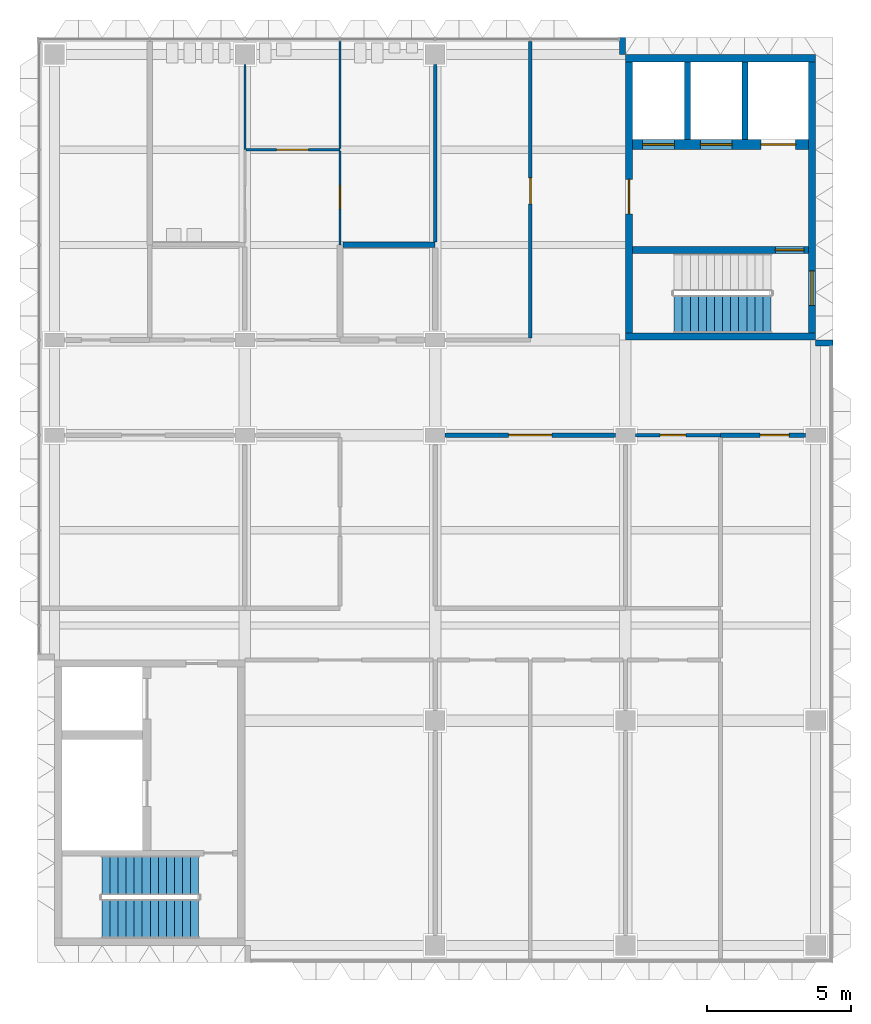
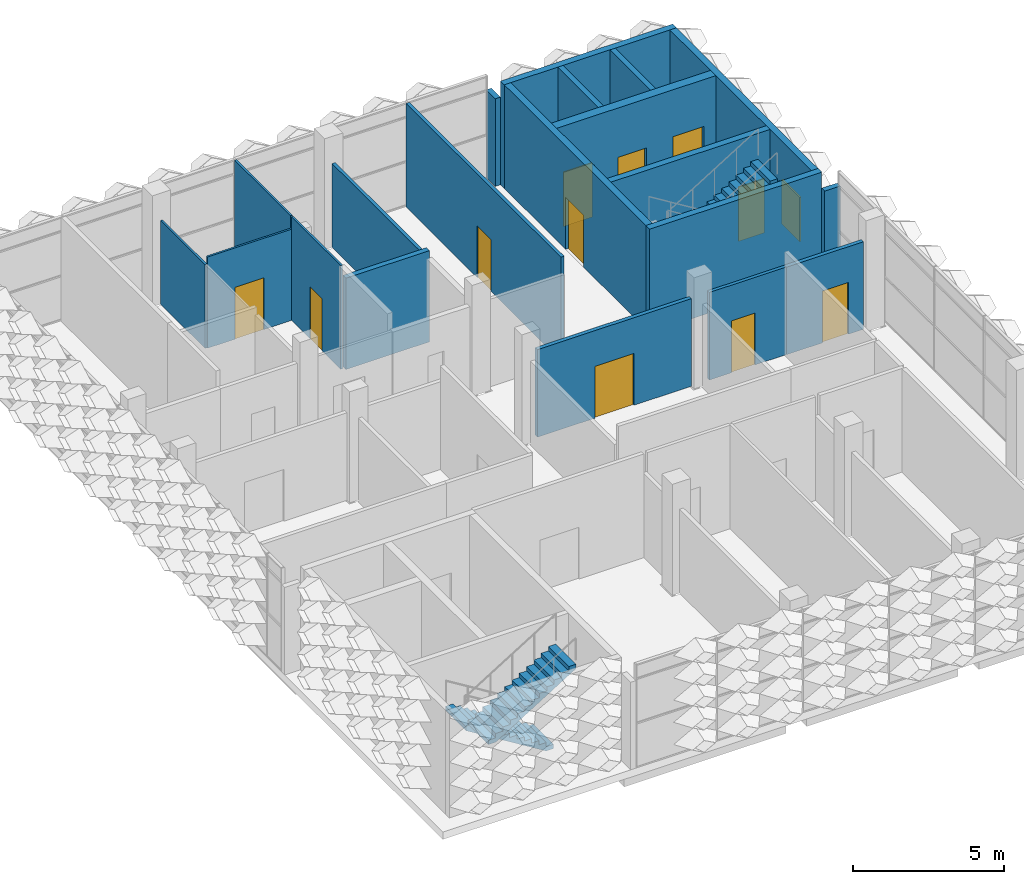
# One storey, part 10 of 29: 20 walls, 11 doors, 3 stair flights, 1 window, 12 openings, 2 elements without a shape of their own.
"""IFC4 building model written with IfcOpenShell, lengths in metres."""

from ifc_helpers import new_model, si_unit, direction, frame, frame_2d, origin, place, context, subcontext, project, spatial, polyline, rectangle, outline, extrude, material, layer, layer_set, type_object, element, fill, aggregate, save


model = new_model("IFC4")

# Units and contexts
model_context = context("Model", 3, precision=1e-05, world=origin(), true_north=direction((0.0, 1.0)))
body_context = subcontext(model_context, "Body", "Model", "MODEL_VIEW")
ifc_project = project(units=[si_unit("LENGTHUNIT", "METRE"), si_unit("AREAUNIT", "SQUARE_METRE"), si_unit("VOLUMEUNIT", "CUBIC_METRE"), si_unit("PLANEANGLEUNIT", "RADIAN"), si_unit("MASSUNIT", "GRAM", prefix="KILO")], contexts=[model_context])

# Site, building, storey
site_placement = place(None, origin())
site = spatial("IfcSite", under=ifc_project, at=site_placement, CompositionType="ELEMENT")
building_placement = place(site_placement, origin())
building = spatial("IfcBuilding", under=site, at=building_placement, Name="Lantern Court Research Institute", CompositionType="ELEMENT")
storey_placement = place(building_placement, frame((0.0, 0.0, 32.39990234375)))
storey = spatial("IfcBuildingStorey", under=building, at=storey_placement, Name="L07", CompositionType="ELEMENT", Elevation=32.39990234375)

# Wall
ifc_material_1 = material(Name="Fire-rated gypsum board partition, mineral wool filled")
ifc_layer_1 = layer(ifc_material_1, 0.199951171875)
ifc_layer_set_1 = layer_set([ifc_layer_1], Name="Fire-rated gypsum board partition, mineral wool filled")
wall_type_1 = type_object("IfcWallType", Name="Compartment wall 200 EI 120", PredefinedType="PARTITIONING", material=ifc_layer_set_1)
wall_1_placement = place(storey_placement, frame((66.0, 16.5, 0.0), z_axis=(0.0, 0.0, 1.0), x_axis=(-1.0, 0.0, 0.0)))
element("IfcWall", 1, at=wall_1_placement, inside=storey, type_object=wall_type_1, Name="Compartment wall 200 EI 120", PredefinedType="PARTITIONING", context=body_context, shape_type="SweptSolid", body=[
    extrude(rectangle(XDim=3.199951171875, YDim=0.199951171875, at=frame_2d((1.60009765625, 0.0))), origin(), (0.0, 0.0, 1.0), 3.7001953125),
])

# Wall, opening, door
ifc_material_2 = material(Name="Fire-rated gypsum board partition, mineral wool filled")
ifc_layer_2 = layer(ifc_material_2, 0.125)
ifc_layer_set_2 = layer_set([ifc_layer_2], Name="Fire-rated gypsum board partition, mineral wool filled")
wall_type_2 = type_object("IfcWallType", Name="Corridor partition 125 EI 60", PredefinedType="PARTITIONING", material=ifc_layer_set_2)
wall_2_placement = place(storey_placement, frame((75.89990234375, 9.89990234375, 0.0), z_axis=(0.0, 0.0, 1.0), x_axis=(-1.0, 0.0, 0.0)))
wall_2 = element("IfcWall", 2, at=wall_2_placement, inside=storey, type_object=wall_type_2, Name="Corridor partition 125 EI 60", PredefinedType="PARTITIONING", context=body_context, shape_type="SweptSolid", body=[
    extrude(rectangle(XDim=2.949951171875, YDim=0.125, at=frame_2d((1.47509765625, 0.0))), origin(), (0.0, 0.0, 1.0), 3.550048828125),
])
opening_1_placement = place(wall_2_placement, frame((1.199951171875, 0.0, 0.0)))
opening_1 = element("IfcOpeningElement", 3, at=opening_1_placement, cuts=wall_2, Name="Opening D5716", PredefinedType="OPENING", context=body_context, shape_type="SweptSolid", body=[
    extrude(rectangle(XDim=0.89990234375, YDim=2.10009765625, at=frame_2d((0.449951171875, 1.050048828125))), frame((0.0, 0.072509765625, 0.0), z_axis=(0.0, -1.0, 0.0), x_axis=(1.0, 0.0, 0.0)), (0.0, 0.0, 1.0), 0.14501953125),
])
ifc_material_3 = material(Name="Solid-core timber door leaf", Category="wood")
ifc_layer_3 = layer(ifc_material_3, 0.053955078125)
ifc_layer_set_3 = layer_set([ifc_layer_3], Name="Solid-core timber door leaf")
door_type_1 = type_object("IfcDoorType", Name="Office door 900 x 2100 single FD30S", OperationType="NOTDEFINED", PredefinedType="DOOR", material=ifc_layer_set_3)
door_1_placement = place(opening_1_placement, origin())
door_1 = element("IfcDoor", 4, at=door_1_placement, inside=storey, type_object=door_type_1, Name="Door D5716", OperationType="SINGLE_SWING_RIGHT", OverallHeight=2.10009765625, OverallWidth=0.89990234375, PredefinedType="DOOR", context=body_context, shape_type="SweptSolid", body=[
    extrude(rectangle(XDim=0.89990234375, YDim=2.10009765625, at=frame_2d((0.449951171875, 1.050048828125))), frame((0.0, 0.02685546875, 0.0), z_axis=(0.0, -1.0, 0.0), x_axis=(1.0, 0.0, 0.0)), (0.0, 0.0, 1.0), 0.053955078125),
])
fill(opening_1, door_1)

# Wall
wall_3_placement = place(storey_placement, frame((66.0, 16.60009765625, 0.0), z_axis=(0.0, 0.0, 1.0), x_axis=(0.0, 1.0, 0.0)))
element("IfcWall", 5, at=wall_3_placement, inside=storey, type_object=wall_type_2, Name="Corridor partition 125 EI 60", PredefinedType="PARTITIONING", context=body_context, shape_type="SweptSolid", body=[
    extrude(rectangle(XDim=6.14990234375, YDim=0.125, at=frame_2d((3.074951171875, 0.0))), origin(), (0.0, 0.0, 1.0), 3.400146484375),
])

# Wall, opening, door
wall_4_placement = place(storey_placement, frame((69.300048828125, 13.262451171875, 0.0), z_axis=(0.0, 0.0, 1.0), x_axis=(0.0, 1.0, 0.0)))
wall_4 = element("IfcWall", 6, at=wall_4_placement, inside=storey, type_object=wall_type_2, Name="Corridor partition 125 EI 60", PredefinedType="PARTITIONING", context=body_context, shape_type="SweptSolid", body=[
    extrude(rectangle(XDim=10.28759765625, YDim=0.125, at=frame_2d((5.143798828125, 0.0))), origin(), (0.0, 0.0, 1.0), 4.2001953125),
])
opening_2_placement = place(wall_4_placement, frame((4.66259765625, 0.0, 0.0)))
opening_2 = element("IfcOpeningElement", 7, at=opening_2_placement, cuts=wall_4, Name="Opening D5708", PredefinedType="OPENING", context=body_context, shape_type="SweptSolid", body=[
    extrude(rectangle(XDim=0.89990234375, YDim=2.10009765625, at=frame_2d((0.449951171875, 1.050048828125))), frame((0.0, 0.072509765625, 0.0), z_axis=(0.0, -1.0, 0.0), x_axis=(1.0, 0.0, 0.0)), (0.0, 0.0, 1.0), 0.14501953125),
])
door_2_placement = place(opening_2_placement, origin())
door_2 = element("IfcDoor", 8, at=door_2_placement, inside=storey, type_object=door_type_1, Name="Door D5708", OperationType="SINGLE_SWING_LEFT", OverallHeight=2.10009765625, OverallWidth=0.89990234375, PredefinedType="DOOR", context=body_context, shape_type="SweptSolid", body=[
    extrude(rectangle(XDim=0.89990234375, YDim=2.10009765625, at=frame_2d((0.449951171875, 1.050048828125))), frame((0.0, 0.02685546875, 0.0), z_axis=(0.0, -1.0, 0.0), x_axis=(1.0, 0.0, 0.0)), (0.0, 0.0, 1.0), 0.053955078125),
])
fill(opening_2, door_2)

ifc_material_4 = material(Name="Fire-rated gypsum board partition, mineral wool filled")
ifc_layer_4 = layer(ifc_material_4, 0.14990234375)
ifc_layer_set_4 = layer_set([ifc_layer_4], Name="Fire-rated gypsum board partition, mineral wool filled")
wall_type_3 = type_object("IfcWallType", Name="Laboratory partition 150 EI 60", PredefinedType="PARTITIONING", material=ifc_layer_set_4)
wall_5_placement = place(storey_placement, frame((66.35009765625, 9.89990234375, 0.0), z_axis=(0.0, 0.0, 1.0), x_axis=(1.0, 0.0, 0.0)))
wall_5 = element("IfcWall", 9, at=wall_5_placement, inside=storey, type_object=wall_type_3, Name="Laboratory partition 150 EI 60", PredefinedType="PARTITIONING", context=body_context, shape_type="SweptSolid", body=[
    extrude(rectangle(XDim=5.89990234375, YDim=0.14990234375, at=frame_2d((2.949951171875, 0.0))), origin(), (0.0, 0.0, 1.0), 3.550048828125),
])
opening_3_placement = place(wall_5_placement, frame((2.199951171875, 0.0, 0.0)))
opening_3 = element("IfcOpeningElement", 10, at=opening_3_placement, cuts=wall_5, Name="Opening D5715", PredefinedType="OPENING", context=body_context, shape_type="SweptSolid", body=[
    extrude(rectangle(XDim=1.5, YDim=2.10009765625, at=frame_2d((0.75, 1.050048828125))), frame((0.0, 0.0849609375, 0.0), z_axis=(0.0, -1.0, 0.0), x_axis=(1.0, 0.0, 0.0)), (0.0, 0.0, 1.0), 0.169921875),
])
ifc_material_5 = material(Name="Solid-core timber door leaf with vision panel", Category="wood")
ifc_layer_5 = layer(ifc_material_5, 0.053955078125)
ifc_layer_set_5 = layer_set([ifc_layer_5], Name="Solid-core timber door leaf with vision panel")
door_type_2 = type_object("IfcDoorType", Name="Laboratory double door 1500 x 2100 pair FD30S", OperationType="DOUBLE_DOOR_SINGLE_SWING", PredefinedType="DOOR", material=ifc_layer_set_5)
door_3_placement = place(opening_3_placement, origin())
door_3 = element("IfcDoor", 11, at=door_3_placement, inside=storey, type_object=door_type_2, Name="Door D5715", OperationType="DOUBLE_DOOR_SINGLE_SWING", OverallHeight=2.10009765625, OverallWidth=1.5, PredefinedType="DOOR", context=body_context, shape_type="SweptSolid", body=[
    extrude(rectangle(XDim=1.5, YDim=2.10009765625, at=frame_2d((0.75, 1.050048828125))), frame((0.0, 0.02685546875, 0.0), z_axis=(0.0, -1.0, 0.0), x_axis=(1.0, 0.0, 0.0)), (0.0, 0.0, 1.0), 0.053955078125),
])
fill(opening_3, door_3)

wall_6_placement = place(storey_placement, frame((75.89990234375, 9.89990234375, 0.0), z_axis=(0.0, 0.0, 1.0), x_axis=(1.0, 0.0, 0.0)))
wall_6 = element("IfcWall", 12, at=wall_6_placement, inside=storey, type_object=wall_type_3, Name="Laboratory partition 150 EI 60", PredefinedType="PARTITIONING", context=body_context, shape_type="SweptSolid", body=[
    extrude(rectangle(XDim=2.9501953125, YDim=0.14990234375, at=frame_2d((1.47509765625, 0.0))), origin(), (0.0, 0.0, 1.0), 3.550048828125),
])
opening_4_placement = place(wall_6_placement, frame((1.375, 0.0, 0.0)))
opening_4 = element("IfcOpeningElement", 13, at=opening_4_placement, cuts=wall_6, Name="Opening D5717", PredefinedType="OPENING", context=body_context, shape_type="SweptSolid", body=[
    extrude(rectangle(XDim=1.0, YDim=2.10009765625, at=frame_2d((0.5, 1.050048828125))), frame((0.0, 0.0849609375, 0.0), z_axis=(0.0, -1.0, 0.0), x_axis=(1.0, 0.0, 0.0)), (0.0, 0.0, 1.0), 0.169921875),
])
ifc_material_6 = material(Name="Solid-core timber door leaf with vision panel", Category="wood")
ifc_layer_6 = layer(ifc_material_6, 0.053955078125)
ifc_layer_set_6 = layer_set([ifc_layer_6], Name="Solid-core timber door leaf with vision panel")
door_type_3 = type_object("IfcDoorType", Name="Laboratory door 1000 x 2100 single FD30S", OperationType="NOTDEFINED", PredefinedType="DOOR", material=ifc_layer_set_6)
door_4_placement = place(opening_4_placement, origin())
door_4 = element("IfcDoor", 14, at=door_4_placement, inside=storey, type_object=door_type_3, Name="Door D5717", OperationType="SINGLE_SWING_LEFT", OverallHeight=2.10009765625, OverallWidth=1.0, PredefinedType="DOOR", context=body_context, shape_type="SweptSolid", body=[
    extrude(rectangle(XDim=1.0, YDim=2.10009765625, at=frame_2d((0.5, 1.050048828125))), frame((0.0, 0.02685546875, 0.0), z_axis=(0.0, -1.0, 0.0), x_axis=(1.0, 0.0, 0.0)), (0.0, 0.0, 1.0), 0.053955078125),
])
fill(opening_4, door_4)

# Wall
ifc_material_7 = material(Name="Concrete C40/50", Category="concrete")
ifc_layer_7 = layer(ifc_material_7, 0.25)
ifc_layer_set_7 = layer_set([ifc_layer_7], Name="Concrete C40/50")
wall_type_4 = type_object("IfcWallType", Name="RC core wall 250", PredefinedType="SHEAR", material=ifc_layer_set_7)
wall_7_placement = place(storey_placement, frame((72.60009765625, 13.324951171875, 0.0), z_axis=(0.0, 0.0, 1.0), x_axis=(1.0, 0.0, 0.0)))
element("IfcWall", 15, at=wall_7_placement, inside=storey, type_object=wall_type_4, Name="South wall of core TC-E", PredefinedType="SHEAR", context=body_context, shape_type="SweptSolid", body=[
    extrude(rectangle(XDim=6.599853515625, YDim=0.25, at=frame_2d((3.2998046875, 0.0))), origin(), (0.0, 0.0, 1.0), 4.2001953125),
])

# Wall, opening, door
wall_8_placement = place(storey_placement, frame((72.72509765625, 13.449951171875, 0.0), z_axis=(0.0, 0.0, 1.0), x_axis=(0.0, 1.0, 0.0)))
wall_8 = element("IfcWall", 16, at=wall_8_placement, inside=storey, type_object=wall_type_4, Name="West wall of core TC-E", PredefinedType="SHEAR", context=body_context, shape_type="SweptSolid", body=[
    extrude(rectangle(XDim=9.400146484375, YDim=0.25, at=frame_2d((4.7001953125, 0.0))), origin(), (0.0, 0.0, 1.0), 4.2001953125),
])
opening_5_placement = place(wall_8_placement, frame((4.125, 0.0, 0.0)))
opening_5 = element("IfcOpeningElement", 17, at=opening_5_placement, cuts=wall_8, Name="Opening D7182", PredefinedType="OPENING", context=body_context, shape_type="SweptSolid", body=[
    extrude(rectangle(XDim=1.199951171875, YDim=2.10009765625, at=frame_2d((0.60009765625, 1.050048828125))), frame((0.0, 0.135009765625, 0.0), z_axis=(0.0, -1.0, 0.0), x_axis=(1.0, 0.0, 0.0)), (0.0, 0.0, 1.0), 0.27001953125),
])
ifc_material_8 = material(Name="Steel fire door leaf with smoke seals", Category="steel")
door_type_4 = type_object("IfcDoorType", Name="Door 1200 x 2100 fire rated FD60S", OperationType="NOTDEFINED", PredefinedType="DOOR", material=ifc_material_8)
door_5_placement = place(opening_5_placement, origin())
door_5 = element("IfcDoor", 18, at=door_5_placement, inside=storey, type_object=door_type_4, Name="Lobby door", OperationType="SINGLE_SWING_LEFT", OverallHeight=2.10009765625, OverallWidth=1.199951171875, PredefinedType="DOOR", context=body_context, shape_type="SweptSolid", body=[
    extrude(rectangle(XDim=1.199951171875, YDim=2.10009765625, at=frame_2d((0.60009765625, 1.050048828125))), frame((0.0, 0.02490234375, 0.0), z_axis=(0.0, -1.0, 0.0), x_axis=(1.0, 0.0, 0.0)), (0.0, 0.0, 1.0), 0.050048828125),
])
fill(opening_5, door_5)

# Wall
ifc_material_9 = material(Name="Concrete C40/50", Category="concrete")
ifc_layer_8 = layer(ifc_material_9, 0.25)
ifc_layer_set_8 = layer_set([ifc_layer_8], Name="Concrete C40/50")
wall_type_5 = type_object("IfcWallType", Name="RC core wall 250 facade", PredefinedType="SHEAR", material=ifc_layer_set_8)
wall_9_placement = place(storey_placement, frame((72.60009765625, 22.97509765625, 0.0), z_axis=(0.0, 0.0, 1.0), x_axis=(1.0, 0.0, 0.0)))
element("IfcWall", 19, at=wall_9_placement, inside=storey, type_object=wall_type_5, Name="North wall of core TC-E", PredefinedType="SHEAR", context=body_context, shape_type="SweptSolid", body=[
    extrude(rectangle(XDim=6.599853515625, YDim=0.25, at=frame_2d((3.2998046875, 0.0))), origin(), (0.0, 0.0, 1.0), 4.2001953125),
])

# Wall, opening, window
wall_10_placement = place(storey_placement, frame((79.074951171875, 13.449951171875, 0.0), z_axis=(0.0, 0.0, 1.0), x_axis=(0.0, 1.0, 0.0)))
wall_10 = element("IfcWall", 20, at=wall_10_placement, inside=storey, type_object=wall_type_5, Name="East wall of core TC-E", PredefinedType="SHEAR", context=body_context, shape_type="SweptSolid", body=[
    extrude(rectangle(XDim=9.400146484375, YDim=0.25, at=frame_2d((4.7001953125, 0.0))), origin(), (0.0, 0.0, 1.0), 4.2001953125),
])
opening_6_placement = place(wall_10_placement, frame((0.949951171875, 0.0, 0.699951171875)))
opening_6 = element("IfcOpeningElement", 21, at=opening_6_placement, cuts=wall_10, Name="Opening W7", PredefinedType="OPENING", context=body_context, shape_type="SweptSolid", body=[
    extrude(rectangle(XDim=1.199951171875, YDim=1.800048828125, at=frame_2d((0.60009765625, 0.89990234375))), frame((0.0, 0.135009765625, 0.0), z_axis=(0.0, -1.0, 0.0), x_axis=(1.0, 0.0, 0.0)), (0.0, 0.0, 1.0), 0.27001953125),
])
ifc_material_10 = material(Name="Aluminium alloy 6063-T6 frame with laminated glass", Category="aluminium")
window_type = type_object("IfcWindowType", Name="Stair window 1200 x 1800", PartitioningType="SINGLE_PANEL", PredefinedType="WINDOW", material=ifc_material_10)
window_placement = place(opening_6_placement, origin())
window = element("IfcWindow", 22, at=window_placement, inside=storey, type_object=window_type, Name="Stair window", OverallHeight=1.800048828125, OverallWidth=1.199951171875, PartitioningType="SINGLE_PANEL", PredefinedType="WINDOW", context=body_context, shape_type="SweptSolid", body=[
    extrude(rectangle(XDim=1.199951171875, YDim=1.800048828125, at=frame_2d((0.60009765625, 0.89990234375))), frame((0.0, 0.030029296875, 0.0), z_axis=(0.0, -1.0, 0.0), x_axis=(1.0, 0.0, 0.0)), (0.0, 0.0, 1.0), 0.06005859375),
])
fill(opening_6, window)

# Walls
ifc_material_11 = material(Name="Concrete C40/50", Category="concrete")
ifc_layer_9 = layer(ifc_material_11, 0.199951171875)
ifc_layer_set_9 = layer_set([ifc_layer_9], Name="Concrete C40/50")
wall_type_6 = type_object("IfcWallType", Name="RC shaft wall 200", PredefinedType="SHEAR", material=ifc_layer_set_9)
for number, where, z_axis, x_axis, name in (
    (23, (74.75, 20.14990234375, 0.0), (0.0, 0.0, 1.0), (0.0, 1.0, 0.0), "Lift shaft wall of core TC-E"),
    (24, (76.75, 20.14990234375, 0.0), (0.0, 0.0, 1.0), (0.0, 1.0, 0.0), "Lift shaft wall of core TC-E"),
):
    element("IfcWall", number, at=place(storey_placement, frame(where, z_axis=z_axis, x_axis=x_axis)), inside=storey, type_object=wall_type_6, Name=name, PredefinedType="SHEAR", context=body_context, shape_type="SweptSolid", body=[
        extrude(rectangle(XDim=2.7001953125, YDim=0.199951171875, at=frame_2d((1.35009765625, 0.0))), origin(), (0.0, 0.0, 1.0), 4.2001953125),
    ])

# Wall, opening, door
ifc_material_12 = material(Name="Concrete C40/50", Category="concrete")
ifc_layer_10 = layer(ifc_material_12, 0.25)
ifc_layer_set_10 = layer_set([ifc_layer_10], Name="Concrete C40/50")
wall_type_7 = type_object("IfcWallType", Name="RC shaft wall 250", PredefinedType="SHEAR", material=ifc_layer_set_10)
wall_11_placement = place(storey_placement, frame((72.85009765625, 16.324951171875, 0.0), z_axis=(0.0, 0.0, 1.0), x_axis=(1.0, 0.0, 0.0)))
wall_11 = element("IfcWall", 25, at=wall_11_placement, inside=storey, type_object=wall_type_7, Name="Stair wall of core TC-E", PredefinedType="SHEAR", context=body_context, shape_type="SweptSolid", body=[
    extrude(rectangle(XDim=6.099853515625, YDim=0.25, at=frame_2d((3.0498046875, 0.0))), origin(), (0.0, 0.0, 1.0), 4.2001953125),
])
opening_7_placement = place(wall_11_placement, frame((4.949951171875, 0.0, 0.0)))
opening_7 = element("IfcOpeningElement", 26, at=opening_7_placement, cuts=wall_11, Name="Opening D7183", PredefinedType="OPENING", context=body_context, shape_type="SweptSolid", body=[
    extrude(rectangle(XDim=1.0, YDim=2.199951171875, at=frame_2d((0.5, 1.10009765625))), frame((0.0, 0.135009765625, 0.0), z_axis=(0.0, -1.0, 0.0), x_axis=(1.0, 0.0, 0.0)), (0.0, 0.0, 1.0), 0.27001953125),
])
ifc_material_13 = material(Name="Steel fire door leaf with smoke seals", Category="steel")
door_type_5 = type_object("IfcDoorType", Name="Door 1000 x 2200 fire rated FD60S", OperationType="NOTDEFINED", PredefinedType="DOOR", material=ifc_material_13)
door_6_placement = place(opening_7_placement, origin())
door_6 = element("IfcDoor", 27, at=door_6_placement, inside=storey, type_object=door_type_5, Name="Stair door", OperationType="SINGLE_SWING_RIGHT", OverallHeight=2.199951171875, OverallWidth=1.0, PredefinedType="DOOR", context=body_context, shape_type="SweptSolid", body=[
    extrude(rectangle(XDim=1.0, YDim=2.199951171875, at=frame_2d((0.5, 1.10009765625))), frame((0.0, 0.02490234375, 0.0), z_axis=(0.0, -1.0, 0.0), x_axis=(1.0, 0.0, 0.0)), (0.0, 0.0, 1.0), 0.050048828125),
])
fill(opening_7, door_6)

# Wall, openings, doors
ifc_material_14 = material(Name="Concrete C40/50", Category="concrete")
ifc_layer_11 = layer(ifc_material_14, 0.35009765625)
ifc_layer_set_11 = layer_set([ifc_layer_11], Name="Concrete C40/50")
wall_type_8 = type_object("IfcWallType", Name="RC shaft wall 350", PredefinedType="SHEAR", material=ifc_layer_set_11)
wall_12_placement = place(storey_placement, frame((72.85009765625, 19.97509765625, 0.0), z_axis=(0.0, 0.0, 1.0), x_axis=(1.0, 0.0, 0.0)))
wall_12 = element("IfcWall", 28, at=wall_12_placement, inside=storey, type_object=wall_type_8, Name="Lift shaft wall of core TC-E", PredefinedType="SHEAR", context=body_context, shape_type="SweptSolid", body=[
    extrude(rectangle(XDim=6.099853515625, YDim=0.35009765625, at=frame_2d((3.0498046875, 0.0))), origin(), (0.0, 0.0, 1.0), 4.2001953125),
])
opening_8_placement = place(wall_12_placement, frame((0.35009765625, 0.0, 0.0)))
opening_8 = element("IfcOpeningElement", 29, at=opening_8_placement, cuts=wall_12, Name="Opening D7184", PredefinedType="OPENING", context=body_context, shape_type="SweptSolid", body=[
    extrude(rectangle(XDim=1.10009765625, YDim=2.199951171875, at=frame_2d((0.550048828125, 1.10009765625))), frame((0.0, 0.18505859375, 0.0), z_axis=(0.0, -1.0, 0.0), x_axis=(1.0, 0.0, 0.0)), (0.0, 0.0, 1.0), 0.3701171875),
])
opening_9_placement = place(wall_12_placement, frame((2.35009765625, 0.0, 0.0)))
opening_9 = element("IfcOpeningElement", 30, at=opening_9_placement, cuts=wall_12, Name="Opening D7185", PredefinedType="OPENING", context=body_context, shape_type="SweptSolid", body=[
    extrude(rectangle(XDim=1.10009765625, YDim=2.199951171875, at=frame_2d((0.550048828125, 1.10009765625))), frame((0.0, 0.18505859375, 0.0), z_axis=(0.0, -1.0, 0.0), x_axis=(1.0, 0.0, 0.0)), (0.0, 0.0, 1.0), 0.3701171875),
])
opening_10_placement = place(wall_12_placement, frame((4.449951171875, 0.0, 0.0)))
opening_10 = element("IfcOpeningElement", 31, at=opening_10_placement, cuts=wall_12, Name="Opening D7186", PredefinedType="OPENING", context=body_context, shape_type="SweptSolid", body=[
    extrude(rectangle(XDim=1.199951171875, YDim=2.300048828125, at=frame_2d((0.60009765625, 1.14990234375))), frame((0.0, 0.18505859375, 0.0), z_axis=(0.0, -1.0, 0.0), x_axis=(1.0, 0.0, 0.0)), (0.0, 0.0, 1.0), 0.3701171875),
])
ifc_material_15 = material(Name="Stainless steel landing door panels", Category="steel")
door_type_6 = type_object("IfcDoorType", Name="Lift landing door 1100 x 2200 sliding FD60", OperationType="DOUBLE_DOOR_SLIDING", PredefinedType="NOTDEFINED", material=ifc_material_15)
door_7_placement = place(opening_8_placement, origin())
door_7 = element("IfcDoor", 32, at=door_7_placement, inside=storey, type_object=door_type_6, Name="Landing door", OperationType="DOUBLE_DOOR_SLIDING", OverallHeight=2.199951171875, OverallWidth=1.10009765625, PredefinedType="NOTDEFINED", context=body_context, shape_type="SweptSolid", body=[
    extrude(rectangle(XDim=1.10009765625, YDim=2.199951171875, at=frame_2d((0.550048828125, 1.10009765625))), frame((0.0, 0.02490234375, 0.0), z_axis=(0.0, -1.0, 0.0), x_axis=(1.0, 0.0, 0.0)), (0.0, 0.0, 1.0), 0.050048828125),
])
fill(opening_8, door_7)
door_8_placement = place(opening_9_placement, origin())
door_8 = element("IfcDoor", 33, at=door_8_placement, inside=storey, type_object=door_type_6, Name="Landing door", OperationType="DOUBLE_DOOR_SLIDING", OverallHeight=2.199951171875, OverallWidth=1.10009765625, PredefinedType="NOTDEFINED", context=body_context, shape_type="SweptSolid", body=[
    extrude(rectangle(XDim=1.10009765625, YDim=2.199951171875, at=frame_2d((0.550048828125, 1.10009765625))), frame((0.0, 0.02490234375, 0.0), z_axis=(0.0, -1.0, 0.0), x_axis=(1.0, 0.0, 0.0)), (0.0, 0.0, 1.0), 0.050048828125),
])
fill(opening_9, door_8)
ifc_material_16 = material(Name="Stainless steel landing door panels", Category="steel")
door_type_7 = type_object("IfcDoorType", Name="Lift landing door 1200 x 2300 sliding FD60", OperationType="DOUBLE_DOOR_SLIDING", PredefinedType="NOTDEFINED", material=ifc_material_16)
door_9_placement = place(opening_10_placement, origin())
door_9 = element("IfcDoor", 34, at=door_9_placement, inside=storey, type_object=door_type_7, Name="Landing door", OperationType="DOUBLE_DOOR_SLIDING", OverallHeight=2.300048828125, OverallWidth=1.199951171875, PredefinedType="NOTDEFINED", context=body_context, shape_type="SweptSolid", body=[
    extrude(rectangle(XDim=1.199951171875, YDim=2.300048828125, at=frame_2d((0.60009765625, 1.14990234375))), frame((0.0, 0.02490234375, 0.0), z_axis=(0.0, -1.0, 0.0), x_axis=(1.0, 0.0, 0.0)), (0.0, 0.0, 1.0), 0.050048828125),
])
fill(opening_10, door_9)

# Walls
ifc_material_17 = material(Name="Concrete C40/50", Category="concrete")
ifc_layer_12 = layer(ifc_material_17, 0.199951171875)
ifc_layer_set_12 = layer_set([ifc_layer_12], Name="Concrete C40/50")
wall_type_9 = type_object("IfcWallType", Name="Return wall 200 concrete EI 120 aluminium faced", PredefinedType="STANDARD", material=ifc_layer_set_12)
wall_13_placement = place(storey_placement, frame((79.199951171875, 13.10009765625, 0.0), z_axis=(0.0, 0.0, 1.0), x_axis=(1.0, 0.0, 0.0)))
element("IfcWall", 35, at=wall_13_placement, inside=storey, type_object=wall_type_9, Name="Core return wall 59", PredefinedType="STANDARD", context=body_context, shape_type="SweptSolid", body=[
    extrude(rectangle(XDim=0.60009765625, YDim=0.199951171875, at=frame_2d((0.300048828125, 0.0))), origin(), (0.0, 0.0, 1.0), 3.550048828125),
])
wall_14_placement = place(storey_placement, frame((72.5, 23.10009765625, 0.0), z_axis=(0.0, 0.0, 1.0), x_axis=(0.0, 1.0, 0.0)))
element("IfcWall", 36, at=wall_14_placement, inside=storey, type_object=wall_type_9, Name="Core return wall 60", PredefinedType="STANDARD", context=body_context, shape_type="SweptSolid", body=[
    extrude(rectangle(XDim=0.599853515625, YDim=0.199951171875, at=frame_2d((0.2998046875, 0.0))), origin(), (0.0, 0.0, 1.0), 3.550048828125),
])
ifc_material_18 = material(Name="Gypsum board partition, mineral wool filled")
ifc_layer_13 = layer(ifc_material_18, 0.074951171875)
ifc_layer_set_13 = layer_set([ifc_layer_13], Name="Gypsum board partition, mineral wool filled")
wall_type_10 = type_object("IfcWallType", Name="Wet room partition 75", PredefinedType="PARTITIONING", material=ifc_layer_set_13)
wall_15_placement = place(storey_placement, frame((59.39990234375, 19.800048828125, 0.0), z_axis=(0.0, 0.0, 1.0), x_axis=(0.0, 1.0, 0.0)))
element("IfcWall", 37, at=wall_15_placement, inside=storey, type_object=wall_type_10, Name="Wet room partition 75", PredefinedType="PARTITIONING", context=body_context, shape_type="SweptSolid", body=[
    extrude(rectangle(XDim=2.949951171875, YDim=0.074951171875, at=frame_2d((1.47509765625, 0.0))), origin(), (0.0, 0.0, 1.0), 3.400146484375),
])

# Wall, opening, door
wall_16_placement = place(storey_placement, frame((59.4375, 19.800048828125, 0.0), z_axis=(0.0, 0.0, 1.0), x_axis=(1.0, 0.0, 0.0)))
wall_16 = element("IfcWall", 38, at=wall_16_placement, inside=storey, type_object=wall_type_10, Name="Wet room partition 75", PredefinedType="PARTITIONING", context=body_context, shape_type="SweptSolid", body=[
    extrude(rectangle(XDim=3.262451171875, YDim=0.074951171875, at=frame_2d((1.63134765625, 0.0))), origin(), (0.0, 0.0, 1.0), 3.7001953125),
])
opening_11_placement = place(wall_16_placement, frame((1.0625, 0.0, 0.0)))
opening_11 = element("IfcOpeningElement", 39, at=opening_11_placement, cuts=wall_16, Name="Opening D5705", PredefinedType="OPENING", context=body_context, shape_type="SweptSolid", body=[
    extrude(rectangle(XDim=1.10009765625, YDim=2.10009765625, at=frame_2d((0.550048828125, 1.050048828125))), frame((0.0, 0.04736328125, 0.0), z_axis=(0.0, -1.0, 0.0), x_axis=(1.0, 0.0, 0.0)), (0.0, 0.0, 1.0), 0.094970703125),
])
ifc_material_19 = material(Name="Solid-core timber door leaf", Category="wood")
ifc_layer_14 = layer(ifc_material_19, 0.0439453125)
ifc_layer_set_14 = layer_set([ifc_layer_14], Name="Solid-core timber door leaf")
door_type_8 = type_object("IfcDoorType", Name="Accessible WC door 1100 x 2100 single NOT RATED", OperationType="NOTDEFINED", PredefinedType="DOOR", material=ifc_layer_set_14)
door_10_placement = place(opening_11_placement, origin())
door_10 = element("IfcDoor", 40, at=door_10_placement, inside=storey, type_object=door_type_8, Name="Door D5705", OperationType="SINGLE_SWING_RIGHT", OverallHeight=2.10009765625, OverallWidth=1.10009765625, PredefinedType="DOOR", context=body_context, shape_type="SweptSolid", body=[
    extrude(rectangle(XDim=1.10009765625, YDim=2.10009765625, at=frame_2d((0.550048828125, 1.050048828125))), frame((0.0, 0.02197265625, 0.0), z_axis=(0.0, -1.0, 0.0), x_axis=(1.0, 0.0, 0.0)), (0.0, 0.0, 1.0), 0.0439453125),
])
fill(opening_11, door_10)

wall_17_placement = place(storey_placement, frame((62.699951171875, 19.762451171875, 0.0), z_axis=(0.0, 0.0, 1.0), x_axis=(0.0, -1.0, 0.0)))
wall_17 = element("IfcWall", 41, at=wall_17_placement, inside=storey, type_object=wall_type_10, Name="Wet room partition 75", PredefinedType="PARTITIONING", context=body_context, shape_type="SweptSolid", body=[
    extrude(rectangle(XDim=3.262451171875, YDim=0.074951171875, at=frame_2d((1.63134765625, 0.0))), origin(), (0.0, 0.0, 1.0), 4.2001953125),
])
opening_12_placement = place(wall_17_placement, frame((1.21240234375, 0.0, 0.0)))
opening_12 = element("IfcOpeningElement", 42, at=opening_12_placement, cuts=wall_17, Name="Opening D5707", PredefinedType="OPENING", context=body_context, shape_type="SweptSolid", body=[
    extrude(rectangle(XDim=0.800048828125, YDim=2.10009765625, at=frame_2d((0.39990234375, 1.050048828125))), frame((0.0, 0.04736328125, 0.0), z_axis=(0.0, -1.0, 0.0), x_axis=(1.0, 0.0, 0.0)), (0.0, 0.0, 1.0), 0.094970703125),
])
ifc_material_20 = material(Name="Solid-core timber door leaf", Category="wood")
ifc_layer_15 = layer(ifc_material_20, 0.0439453125)
ifc_layer_set_15 = layer_set([ifc_layer_15], Name="Solid-core timber door leaf")
door_type_9 = type_object("IfcDoorType", Name="WC door 800 x 2100 single NOT RATED", OperationType="NOTDEFINED", PredefinedType="DOOR", material=ifc_layer_set_15)
door_11_placement = place(opening_12_placement, origin())
door_11 = element("IfcDoor", 43, at=door_11_placement, inside=storey, type_object=door_type_9, Name="Door D5707", OperationType="SINGLE_SWING_RIGHT", OverallHeight=2.10009765625, OverallWidth=0.800048828125, PredefinedType="DOOR", context=body_context, shape_type="SweptSolid", body=[
    extrude(rectangle(XDim=0.800048828125, YDim=2.10009765625, at=frame_2d((0.39990234375, 1.050048828125))), frame((0.0, 0.02197265625, 0.0), z_axis=(0.0, -1.0, 0.0), x_axis=(1.0, 0.0, 0.0)), (0.0, 0.0, 1.0), 0.0439453125),
])
fill(opening_12, door_11)

# Wall
wall_18_placement = place(storey_placement, frame((62.699951171875, 19.83740234375, 0.0), z_axis=(0.0, 0.0, 1.0), x_axis=(0.0, 1.0, 0.0)))
element("IfcWall", 44, at=wall_18_placement, inside=storey, type_object=wall_type_10, Name="Wet room partition 75", PredefinedType="PARTITIONING", context=body_context, shape_type="SweptSolid", body=[
    extrude(rectangle(XDim=3.712646484375, YDim=0.074951171875, at=frame_2d((1.8564453125, 0.0))), origin(), (0.0, 0.0, 1.0), 4.2001953125),
])

# Stair, stair flight
ifc_material_21 = material(Name="Concrete C40/50", Category="concrete")
stair_type_1 = type_object("IfcStairType", Name="RC half-turn stair 1300 wide, 4500 rise, 6100 shaft", PredefinedType="HALF_TURN_STAIR", material=ifc_material_21)
stair_1_placement = place(storey_placement, origin())
stair_1 = element("IfcStair", 45, at=stair_1_placement, inside=storey, type_object=stair_type_1, Name="L07 stair ST-T2", PredefinedType="HALF_TURN_STAIR")
ifc_material_22 = material(Name="Concrete C40/50", Category="concrete")
stair_flight_type_1 = type_object("IfcStairFlightType", Name="RC stair flight 1300 wide, 13 risers of 173, going 280", PredefinedType="STRAIGHT", material=ifc_material_22)
stair_flight_1_placement = place(storey_placement, frame((74.2900390625, 14.10009765625, 2.25), z_axis=(0.0, 0.0, 1.0), x_axis=(1.0, 0.0, 0.0)))
stair_flight_1 = element("IfcStairFlight", 46, at=stair_flight_1_placement, type_object=stair_flight_type_1, Name="ST-T2 flight 2", NumberOfRisers=13, NumberOfTreads=12, PredefinedType="STRAIGHT", RiserHeight=0.173076923, TreadLength=0.28, context=body_context, shape_type="SweptSolid", body=[
    extrude(outline(polyline([(0.0, 0.0), (0.0, 0.173095703125), (0.280029296875, 0.173095703125), (0.280029296875, 0.34619140625), (0.56005859375, 0.34619140625), (0.56005859375, 0.519287109375), (0.840087890625, 0.519287109375), (0.840087890625, 0.6923828125), (1.1201171875, 0.6923828125), (1.1201171875, 0.865478515625), (1.39990234375, 0.865478515625), (1.39990234375, 1.03857421875), (1.679931640625, 1.03857421875), (1.679931640625, 1.21142578125), (1.9599609375, 1.21142578125), (1.9599609375, 1.384521484375), (2.239990234375, 1.384521484375), (2.239990234375, 1.5576171875), (2.52001953125, 1.5576171875), (2.52001953125, 1.730712890625), (2.800048828125, 1.730712890625), (2.800048828125, 1.90380859375), (3.080078125, 1.90380859375), (3.080078125, 2.076904296875), (3.360107421875, 2.076904296875), (3.360107421875, 2.25), (3.360107421875, 1.900634765625), (0.28515625, 0.0), (0.0, 0.0)])), frame((0.0, 0.64990234375, 0.0), z_axis=(0.0, -1.0, 0.0), x_axis=(1.0, 0.0, 0.0)), (0.0, 0.0, 1.0), 1.300048828125),
])
aggregate(stair_1, [stair_flight_1])

# Stair, stair flights
ifc_material_23 = material(Name="Concrete C40/50", Category="concrete")
stair_type_2 = type_object("IfcStairType", Name="RC half-turn stair 1350 wide, 4500 rise, 6100 shaft", PredefinedType="HALF_TURN_STAIR", material=ifc_material_23)
stair_2_placement = place(storey_placement, origin())
stair_2 = element("IfcStair", 47, at=stair_2_placement, inside=storey, type_object=stair_type_2, Name="L07 stair ST-T1", PredefinedType="HALF_TURN_STAIR")
ifc_material_24 = material(Name="Concrete C40/50", Category="concrete")
stair_flight_type_2 = type_object("IfcStairFlightType", Name="RC stair flight 1350 wide, 13 risers of 173, going 280", PredefinedType="STRAIGHT", material=ifc_material_24)
stair_flight_2_placement = place(storey_placement, frame((57.800048828125, -5.375, 0.0), z_axis=(0.0, 0.0, 1.0), x_axis=(-1.0, 0.0, 0.0)))
stair_flight_2 = element("IfcStairFlight", 48, at=stair_flight_2_placement, type_object=stair_flight_type_2, Name="ST-T1 flight 1", NumberOfRisers=13, NumberOfTreads=12, PredefinedType="STRAIGHT", RiserHeight=0.173076923, TreadLength=0.28, context=body_context, shape_type="SweptSolid", body=[
    extrude(outline(polyline([(0.0, 0.0), (0.0, 0.173095703125), (0.280029296875, 0.173095703125), (0.280029296875, 0.34619140625), (0.56005859375, 0.34619140625), (0.56005859375, 0.519287109375), (0.840087890625, 0.519287109375), (0.840087890625, 0.6923828125), (1.1201171875, 0.6923828125), (1.1201171875, 0.865478515625), (1.39990234375, 0.865478515625), (1.39990234375, 1.03857421875), (1.679931640625, 1.03857421875), (1.679931640625, 1.21142578125), (1.9599609375, 1.21142578125), (1.9599609375, 1.384521484375), (2.239990234375, 1.384521484375), (2.239990234375, 1.5576171875), (2.52001953125, 1.5576171875), (2.52001953125, 1.730712890625), (2.800048828125, 1.730712890625), (2.800048828125, 1.90380859375), (3.080078125, 1.90380859375), (3.080078125, 2.076904296875), (3.360107421875, 2.076904296875), (3.360107421875, 2.25), (3.360107421875, 1.900634765625), (0.28515625, 0.0), (0.0, 0.0)])), frame((0.0, 0.675048828125, 0.0), z_axis=(0.0, -1.0, 0.0), x_axis=(1.0, 0.0, 0.0)), (0.0, 0.0, 1.0), 1.35009765625),
])
stair_flight_3_placement = place(storey_placement, frame((54.43994140625, -6.875, 2.25), z_axis=(0.0, 0.0, 1.0), x_axis=(1.0, 0.0, 0.0)))
stair_flight_3 = element("IfcStairFlight", 49, at=stair_flight_3_placement, type_object=stair_flight_type_2, Name="ST-T1 flight 2", NumberOfRisers=13, NumberOfTreads=12, PredefinedType="STRAIGHT", RiserHeight=0.173076923, TreadLength=0.28, context=body_context, shape_type="SweptSolid", body=[
    extrude(outline(polyline([(0.0, 0.0), (0.0, 0.173095703125), (0.280029296875, 0.173095703125), (0.280029296875, 0.34619140625), (0.56005859375, 0.34619140625), (0.56005859375, 0.519287109375), (0.840087890625, 0.519287109375), (0.840087890625, 0.6923828125), (1.1201171875, 0.6923828125), (1.1201171875, 0.865478515625), (1.39990234375, 0.865478515625), (1.39990234375, 1.03857421875), (1.679931640625, 1.03857421875), (1.679931640625, 1.21142578125), (1.9599609375, 1.21142578125), (1.9599609375, 1.384521484375), (2.239990234375, 1.384521484375), (2.239990234375, 1.5576171875), (2.52001953125, 1.5576171875), (2.52001953125, 1.730712890625), (2.800048828125, 1.730712890625), (2.800048828125, 1.90380859375), (3.080078125, 1.90380859375), (3.080078125, 2.076904296875), (3.360107421875, 2.076904296875), (3.360107421875, 2.25), (3.360107421875, 1.900634765625), (0.28515625, 0.0), (0.0, 0.0)])), frame((0.0, 0.675048828125, 0.0), z_axis=(0.0, -1.0, 0.0), x_axis=(1.0, 0.0, 0.0)), (0.0, 0.0, 1.0), 1.35009765625),
])
aggregate(stair_2, [stair_flight_2, stair_flight_3])

save(model, "model.ifc")
